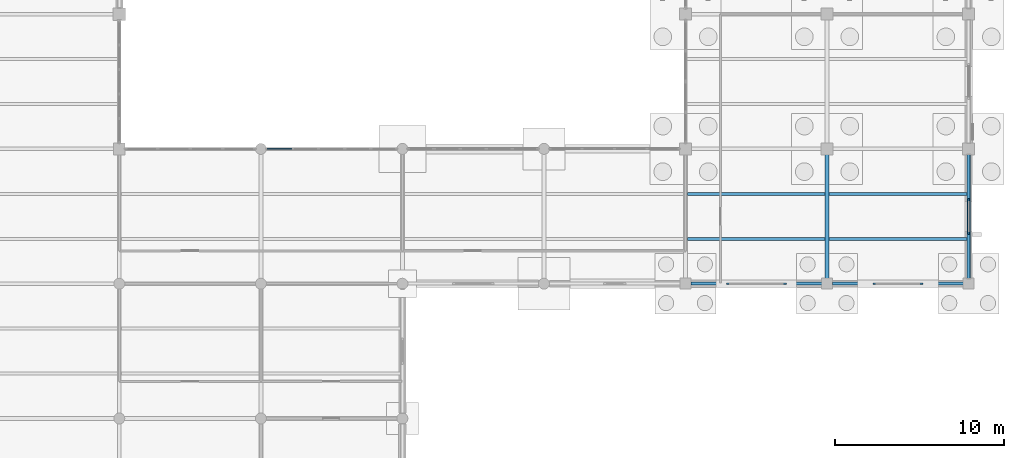
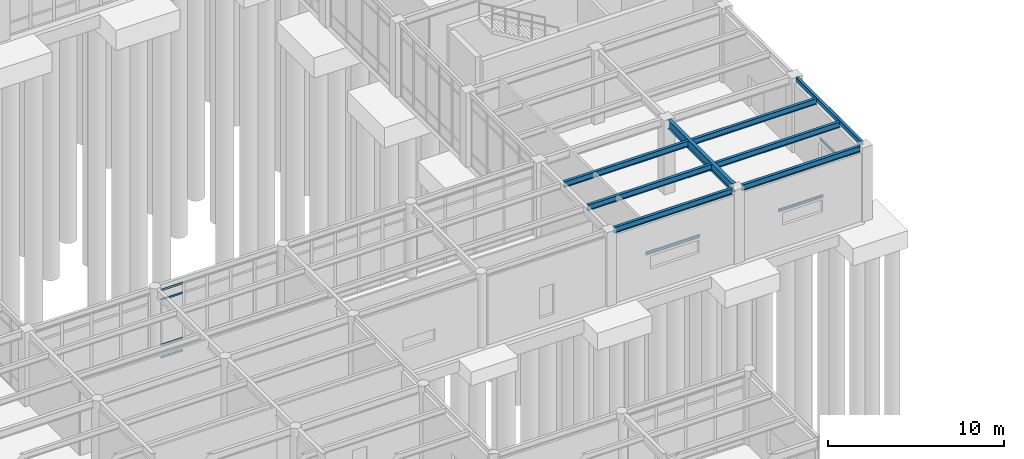
# One storey, part 56 of 138: 11 beams, 4 members, 1 element without a shape of its own.
"""IFC4 building model written with IfcOpenShell, lengths in metres."""

from ifc_helpers import new_model, si_unit, direction, frame, origin, origin_2d, place, context, subcontext, project, spatial, rectangle, hollow_rectangle, i_section, extrude, material, layer, layer_set, material_profile, profile_set, type_object, element, aggregate, save


model = new_model("IFC4")

# Units and contexts
model_context = context("Model", 3, precision=1e-05, world=origin(), true_north=direction((0.0, 1.0)))
body_context = subcontext(model_context, "Body", "Model", "MODEL_VIEW")
ifc_project = project(units=[si_unit("LENGTHUNIT", "METRE"), si_unit("AREAUNIT", "SQUARE_METRE"), si_unit("VOLUMEUNIT", "CUBIC_METRE"), si_unit("PLANEANGLEUNIT", "RADIAN"), si_unit("MASSUNIT", "GRAM", prefix="KILO")], contexts=[model_context])

# Site, building, storey
site_placement = place(None, origin())
site = spatial("IfcSite", under=ifc_project, at=site_placement, CompositionType="ELEMENT")
building_placement = place(site_placement, origin())
building = spatial("IfcBuilding", under=site, at=building_placement, Name="Kranzveld Transit Interchange", CompositionType="ELEMENT")
storey_placement = place(building_placement, origin())
storey = spatial("IfcBuildingStorey", under=building, at=storey_placement, Name="L00", CompositionType="ELEMENT", Elevation=0.0)

# Curtain wall, members
ifc_material_1 = material(Name="Bronze-anodised thermally broken aluminium", Category="aluminium")
ifc_layer = layer(ifc_material_1, 0.155029296875)
ifc_layer_set = layer_set([ifc_layer], Name="Bronze-anodised thermally broken aluminium")
curtain_wall_type = type_object("IfcCurtainWallType", Name="Operations Courtyard Glazed Screen CW-6", PredefinedType="USERDEFINED", material=ifc_layer_set)
curtain_wall_placement = place(storey_placement, origin())
curtain_wall = element("IfcCurtainWall", 1, at=curtain_wall_placement, inside=storey, type_object=curtain_wall_type, Name="L00 Curtain Wall 16/J-17/J", ObjectType="CURTAIN WALL", PredefinedType="USERDEFINED")
ifc_material_2 = material(Name="Bronze-anodised thermally broken aluminium", Category="aluminium")
ifc_material_profile_1 = material_profile(ifc_material_2, rectangle(XDim=0.06005859375, YDim=0.125, at=origin_2d()), Name="ALU TRANSOM 60x125")
ifc_profile_set_1 = profile_set([ifc_material_profile_1], Name="Bronze-anodised thermally broken aluminium")
member_type = type_object("IfcMemberType", Name="Curtain Wall Transom 60x125 Alu", PredefinedType="USERDEFINED", material=ifc_profile_set_1)
member_1_placement = place(storey_placement, frame((126.389892578125, 64.0, 0.030029296875), z_axis=(1.0, 0.0, 0.0), x_axis=(0.0, 1.0, 0.0)))
member_1 = element("IfcMember", 2, at=member_1_placement, type_object=member_type, Name="CW-6 transom 1.1", ObjectType="TRANSOM", PredefinedType="USERDEFINED", context=body_context, shape_type="SweptSolid", body=[
    extrude(rectangle(XDim=0.06005859375, YDim=0.125, at=origin_2d()), origin(), (0.0, 0.0, 1.0), 1.45263671875),
])
member_2_placement = place(storey_placement, frame((126.389892578125, 64.0, 0.89990234375), z_axis=(1.0, 0.0, 0.0), x_axis=(0.0, 1.0, 0.0)))
member_2 = element("IfcMember", 3, at=member_2_placement, type_object=member_type, Name="CW-6 transom 1.2", ObjectType="TRANSOM", PredefinedType="USERDEFINED", context=body_context, shape_type="SweptSolid", body=[
    extrude(rectangle(XDim=0.06005859375, YDim=0.125, at=origin_2d()), origin(), (0.0, 0.0, 1.0), 1.45263671875),
])
member_3_placement = place(storey_placement, frame((126.389892578125, 64.0, 4.04052734375), z_axis=(1.0, 0.0, 0.0), x_axis=(0.0, 1.0, 0.0)))
member_3 = element("IfcMember", 4, at=member_3_placement, type_object=member_type, Name="CW-6 transom 1.3", ObjectType="TRANSOM", PredefinedType="USERDEFINED", context=body_context, shape_type="SweptSolid", body=[
    extrude(rectangle(XDim=0.06005859375, YDim=0.125, at=origin_2d()), origin(), (0.0, 0.0, 1.0), 1.45263671875),
])
member_4_placement = place(storey_placement, frame((126.389892578125, 64.0, 4.710693359375), z_axis=(1.0, 0.0, 0.0), x_axis=(0.0, 1.0, 0.0)))
member_4 = element("IfcMember", 5, at=member_4_placement, type_object=member_type, Name="CW-6 transom 1.4", ObjectType="TRANSOM", PredefinedType="USERDEFINED", context=body_context, shape_type="SweptSolid", body=[
    extrude(rectangle(XDim=0.06005859375, YDim=0.125, at=origin_2d()), origin(), (0.0, 0.0, 1.0), 1.45263671875),
])
aggregate(curtain_wall, [member_1, member_2, member_3, member_4])

# Beams
ifc_material_3 = material(Name="Steel S355JR", Category="steel")
ifc_material_profile_2 = material_profile(ifc_material_3, hollow_rectangle(XDim=0.199951171875, YDim=0.300048828125, WallThickness=0.010009765625, InnerFilletRadius=0.014892578125, OuterFilletRadius=0.02490234375, at=origin_2d()), Name="RHS 300x200x10")
ifc_profile_set_2 = profile_set([ifc_material_profile_2], Name="Steel S355JR")
beam_type_1 = type_object("IfcBeamType", Name="Edge Spandrel RHS 300x200x10 S355JR", PredefinedType="SPANDREL", material=ifc_profile_set_2)
beam_1_placement = place(storey_placement, frame((168.0, 56.31494140625, 5.0), z_axis=(0.0, 1.0, 0.0), x_axis=(-1.0, 0.0, 0.0)))
element("IfcBeam", 6, at=beam_1_placement, inside=storey, type_object=beam_type_1, Name="L00 Girder 21/H-J", PredefinedType="SPANDREL", context=body_context, shape_type="SweptSolid", body=[
    extrude(hollow_rectangle(XDim=0.199951171875, YDim=0.300048828125, WallThickness=0.010009765625, InnerFilletRadius=0.014892578125, OuterFilletRadius=0.02490234375, at=origin_2d()), origin(), (0.0, 0.0, 1.0), 7.344970703125),
])
ifc_material_4 = material(Name="Steel S355JR", Category="steel")
ifc_material_profile_3 = material_profile(ifc_material_4, i_section(OverallWidth=0.1787109375, OverallDepth=0.409423828125, WebThickness=0.0087890625, FlangeThickness=0.014404296875, FilletRadius=0.01025390625, at=origin_2d()), Name="UB 406x178x67")
ifc_profile_set_3 = profile_set([ifc_material_profile_3], Name="Steel S355JR")
beam_type_2 = type_object("IfcBeamType", Name="Facade Spandrel UB 406x178x67 S355JR", PredefinedType="SPANDREL", material=ifc_profile_set_3)
for number, where, z_axis, x_axis, name in (
    (7, (151.514892578125, 56.0, 4.9453125), (1.0, 0.0, 0.0), (0.0, 1.0, 0.0), "L00 Girder 19-20/H"),
    (8, (159.9150390625, 56.0, 4.9453125), (1.0, 0.0, 0.0), (0.0, 1.0, 0.0), "L00 Girder 20-21/H"),
):
    element("IfcBeam", number, at=place(storey_placement, frame(where, z_axis=z_axis, x_axis=x_axis)), inside=storey, type_object=beam_type_2, Name=name, PredefinedType="SPANDREL", context=body_context, shape_type="SweptSolid", body=[
        extrude(i_section(OverallWidth=0.1787109375, OverallDepth=0.409423828125, WebThickness=0.0087890625, FlangeThickness=0.014404296875, FilletRadius=0.01025390625, at=origin_2d()), origin(), (0.0, 0.0, 1.0), 7.77001953125),
    ])
ifc_material_5 = material(Name="Steel S355JR", Category="steel")
ifc_material_profile_4 = material_profile(ifc_material_5, i_section(OverallWidth=0.177734375, OverallDepth=0.402587890625, WebThickness=0.0078125, FlangeThickness=0.010986328125, FilletRadius=0.01025390625, at=origin_2d()), Name="UB 406x178x54")
ifc_profile_set_4 = profile_set([ifc_material_profile_4], Name="Steel S355JR")
beam_type_3 = type_object("IfcBeamType", Name="Floor Joist UB 406x178x54 S355JR", PredefinedType="JOIST", material=ifc_profile_set_4)
for number, where, z_axis, x_axis, name in (
    (9, (151.316162109375, 58.666748046875, 4.94873046875), (1.0, 0.0, 0.0), (0.0, 1.0, 0.0), "L00 Secondary Joist 19-20/H.1"),
    (10, (151.316162109375, 61.333251953125, 4.94873046875), (1.0, 0.0, 0.0), (0.0, 1.0, 0.0), "L00 Secondary Joist 19-20/H.2"),
):
    element("IfcBeam", number, at=place(storey_placement, frame(where, z_axis=z_axis, x_axis=x_axis)), inside=storey, type_object=beam_type_3, Name=name, PredefinedType="JOIST", context=body_context, shape_type="SweptSolid", body=[
        extrude(i_section(OverallWidth=0.177734375, OverallDepth=0.402587890625, WebThickness=0.0078125, FlangeThickness=0.010986328125, FilletRadius=0.01025390625, at=origin_2d()), origin(), (0.0, 0.0, 1.0), 8.167724609375),
    ])
for number, where, z_axis, x_axis, name in (
    (11, (159.716064453125, 58.666748046875, 4.94873046875), (1.0, 0.0, 0.0), (0.0, 1.0, 0.0), "L00 Secondary Joist 20-21/H.1"),
    (12, (159.716064453125, 61.333251953125, 4.94873046875), (1.0, 0.0, 0.0), (0.0, 1.0, 0.0), "L00 Secondary Joist 20-21/H.2"),
):
    element("IfcBeam", number, at=place(storey_placement, frame(where, z_axis=z_axis, x_axis=x_axis)), inside=storey, type_object=beam_type_3, Name=name, PredefinedType="JOIST", context=body_context, shape_type="SweptSolid", body=[
        extrude(i_section(OverallWidth=0.177734375, OverallDepth=0.402587890625, WebThickness=0.0078125, FlangeThickness=0.010986328125, FilletRadius=0.01025390625, at=origin_2d()), origin(), (0.0, 0.0, 1.0), 8.181884765625),
    ])
ifc_material_6 = material(Name="Steel S355JR", Category="steel")
ifc_material_profile_5 = material_profile(ifc_material_6, i_section(OverallWidth=0.228271484375, OverallDepth=0.607666015625, WebThickness=0.010986328125, FlangeThickness=0.017333984375, FilletRadius=0.0126953125, at=origin_2d()), Name="UB 610x229x113")
ifc_profile_set_5 = profile_set([ifc_material_profile_5], Name="Steel S355JR")
beam_type_4 = type_object("IfcBeamType", Name="Girder Steel UB 610x229x113 S355JR", PredefinedType="BEAM", material=ifc_profile_set_5)
beam_2_placement = place(storey_placement, frame((159.60009765625, 56.31494140625, 4.84619140625), z_axis=(0.0, 1.0, 0.0), x_axis=(-1.0, 0.0, 0.0)))
element("IfcBeam", 13, at=beam_2_placement, inside=storey, type_object=beam_type_4, Name="L00 Girder 20/H-J", PredefinedType="BEAM", context=body_context, shape_type="SweptSolid", body=[
    extrude(i_section(OverallWidth=0.228271484375, OverallDepth=0.607666015625, WebThickness=0.010986328125, FlangeThickness=0.017333984375, FilletRadius=0.0126953125, at=origin_2d()), origin(), (0.0, 0.0, 1.0), 7.344970703125),
])
ifc_material_7 = material(Name="Steel S355JR", Category="steel")
ifc_material_profile_6 = material_profile(ifc_material_7, i_section(OverallWidth=0.091064453125, OverallDepth=0.179931640625, WebThickness=0.00537109375, FlangeThickness=0.008056640625, FilletRadius=0.009033203125, at=origin_2d()), Name="IPE 180")
ifc_profile_set_6 = profile_set([ifc_material_profile_6], Name="Steel S355JR")
beam_type_5 = type_object("IfcBeamType", Name="Opening Lintel IPE 180 S355JR", PredefinedType="LINTEL", material=ifc_profile_set_6)
beam_3_placement = place(storey_placement, frame((168.0, 58.907470703125, 2.445068359375), z_axis=(0.0, 1.0, 0.0), x_axis=(-1.0, 0.0, 0.0)))
element("IfcBeam", 14, at=beam_3_placement, inside=storey, type_object=beam_type_5, Name="L00 Window Lintel 031", PredefinedType="LINTEL", context=body_context, shape_type="SweptSolid", body=[
    extrude(i_section(OverallWidth=0.091064453125, OverallDepth=0.179931640625, WebThickness=0.00537109375, FlangeThickness=0.008056640625, FilletRadius=0.009033203125, at=origin_2d()), origin(), (0.0, 0.0, 1.0), 2.159912109375),
])
beam_4_placement = place(storey_placement, frame((162.320068359375, 56.0, 2.4951171875), z_axis=(1.0, 0.0, 0.0), x_axis=(0.0, 1.0, 0.0)))
element("IfcBeam", 15, at=beam_4_placement, inside=storey, type_object=beam_type_5, Name="L00 Window Lintel 035", PredefinedType="LINTEL", context=body_context, shape_type="SweptSolid", body=[
    extrude(i_section(OverallWidth=0.091064453125, OverallDepth=0.179931640625, WebThickness=0.00537109375, FlangeThickness=0.008056640625, FilletRadius=0.009033203125, at=origin_2d()), origin(), (0.0, 0.0, 1.0), 2.9599609375),
])
ifc_material_8 = material(Name="Steel S355JR", Category="steel")
ifc_material_profile_7 = material_profile(ifc_material_8, i_section(OverallWidth=0.10009765625, OverallDepth=0.199951171875, WebThickness=0.005615234375, FlangeThickness=0.008544921875, FilletRadius=0.011962890625, at=origin_2d()), Name="IPE 200")
ifc_profile_set_7 = profile_set([ifc_material_profile_7], Name="Steel S355JR")
beam_type_6 = type_object("IfcBeamType", Name="Opening Lintel IPE 200 S355JR", PredefinedType="LINTEL", material=ifc_profile_set_7)
beam_5_placement = place(storey_placement, frame((153.6201171875, 56.0, 2.554931640625), z_axis=(1.0, 0.0, 0.0), x_axis=(0.0, 1.0, 0.0)))
element("IfcBeam", 16, at=beam_5_placement, inside=storey, type_object=beam_type_6, Name="L00 Window Lintel 034", PredefinedType="LINTEL", context=body_context, shape_type="SweptSolid", body=[
    extrude(i_section(OverallWidth=0.10009765625, OverallDepth=0.199951171875, WebThickness=0.005615234375, FlangeThickness=0.008544921875, FilletRadius=0.011962890625, at=origin_2d()), origin(), (0.0, 0.0, 1.0), 3.559814453125),
])

save(model, "model.ifc")
